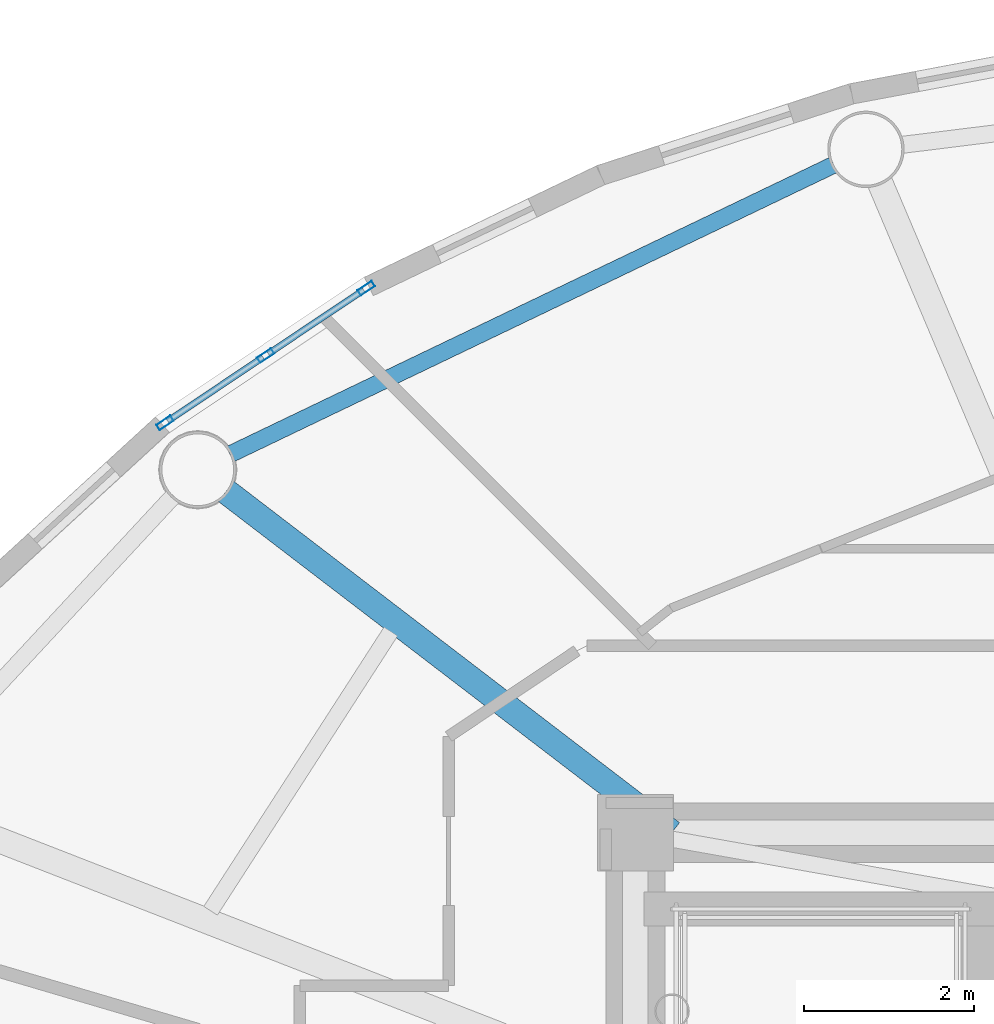
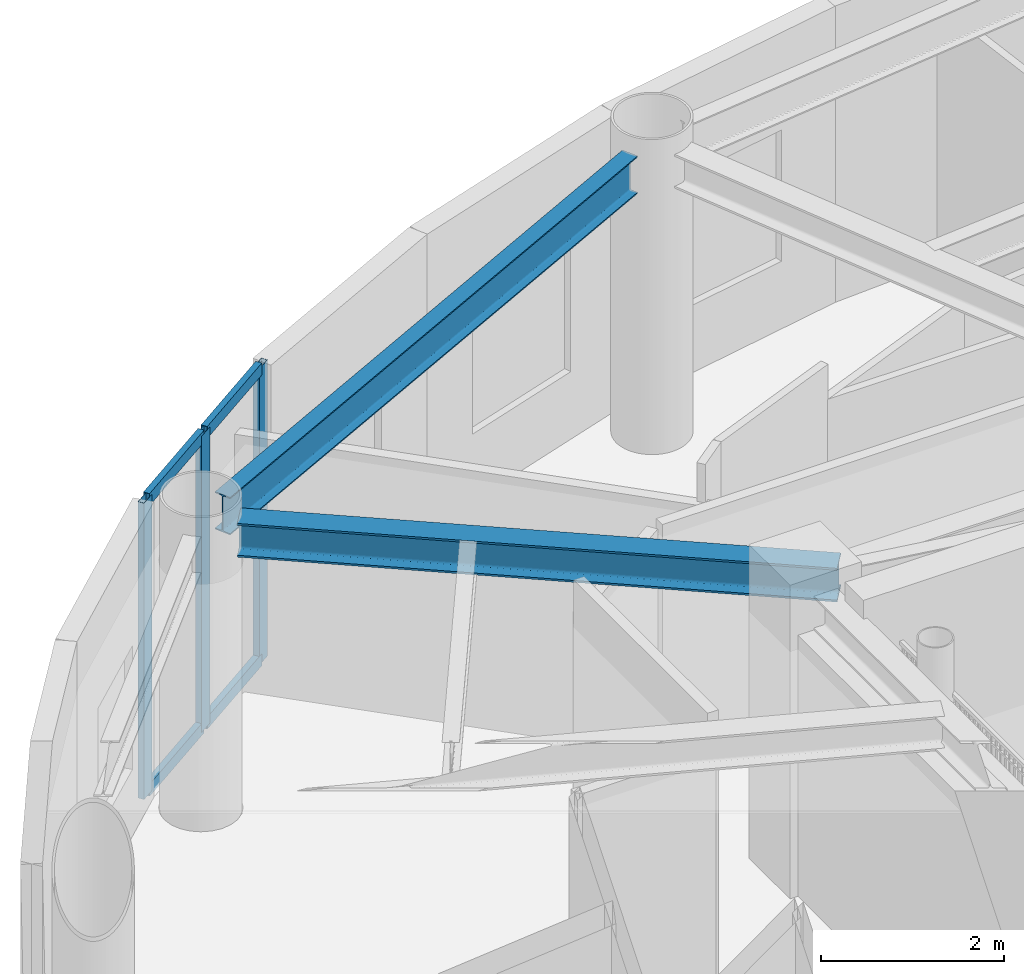
# One storey, part 8 of 24: 7 members, 2 beams, 1 element without a shape of its own.
"""IFC4 building model written with IfcOpenShell, lengths in metres."""

from ifc_helpers import new_model, si_unit, direction, frame, origin, origin_2d, place, context, subcontext, project, spatial, hollow_rectangle, i_section, extrude, source, transform, mapped, material, layer, layer_set, material_profile, profile_set, type_object, element, aggregate, save


model = new_model("IFC4")

# Units and contexts
model_context = context("Model", 3, precision=1e-05, world=origin(), true_north=direction((0.0, 1.0)))
body_context = subcontext(model_context, "Body", "Model", "MODEL_VIEW")
ifc_project = project(units=[si_unit("LENGTHUNIT", "METRE"), si_unit("AREAUNIT", "SQUARE_METRE"), si_unit("VOLUMEUNIT", "CUBIC_METRE"), si_unit("PLANEANGLEUNIT", "RADIAN"), si_unit("MASSUNIT", "GRAM", prefix="KILO")], contexts=[model_context])

# Site, building, storey
site_placement = place(None, origin())
site = spatial("IfcSite", under=ifc_project, at=site_placement, CompositionType="ELEMENT")
building_placement = place(site_placement, origin())
building = spatial("IfcBuilding", under=site, at=building_placement, Name="Linh Dai School and Residence Tower", CompositionType="ELEMENT")
storey_placement = place(building_placement, frame((0.0, 0.0, 355.199951171875)))
storey = spatial("IfcBuildingStorey", under=building, at=storey_placement, Name="L88", CompositionType="ELEMENT", Elevation=355.199951171875)

# Beams
ifc_material_1 = material(Name="Structural Steel S355JR", Category="steel")
ifc_material_profile_1 = material_profile(ifc_material_1, i_section(OverallWidth=0.199951171875, OverallDepth=0.5, WebThickness=0.01025390625, FlangeThickness=0.01611328125, FilletRadius=0.02099609375, at=origin_2d()), Name="IPE 500")
ifc_profile_set_1 = profile_set([ifc_material_profile_1], Name="Structural Steel S355JR")
beam_type_1 = type_object("IfcBeamType", Name="BM-RB50", PredefinedType="BEAM", material=ifc_profile_set_1)
beam_1_placement = place(storey_placement, frame((29.483642578125, 41.312255859375, 3.699951171875), z_axis=(-0.901701330417, -0.432359469335, 0.0), x_axis=(0.432359469335, -0.901701330417, 0.0)))
element("IfcBeam", 1, at=beam_1_placement, inside=storey, type_object=beam_type_1, Name="L88 Perimeter Elliptical Ring Beam 06", PredefinedType="BEAM", context=body_context, shape_type="SweptSolid", body=[
    extrude(i_section(OverallWidth=0.199951171875, OverallDepth=0.5, WebThickness=0.01025390625, FlangeThickness=0.01611328125, FilletRadius=0.02099609375, at=origin_2d()), origin(), (0.0, 0.0, 1.0), 7.88232421875),
])
ifc_material_profile_2 = material_profile(ifc_material_1, i_section(OverallWidth=0.300048828125, OverallDepth=0.449951171875, WebThickness=0.013916015625, FlangeThickness=0.02587890625, FilletRadius=0.027099609375, at=origin_2d()), Name="HEB 450")
ifc_profile_set_2 = profile_set([ifc_material_profile_2], Name="Structural Steel S355JR")
beam_type_2 = type_object("IfcBeamType", Name="BM-RG45", PredefinedType="BEAM", material=ifc_profile_set_2)
beam_2_placement = place(storey_placement, frame((27.5771484375, 33.449951171875, 3.72509765625), z_axis=(-0.793929753809, 0.608009495006, 0.0), x_axis=(-0.608009495006, -0.793929753809, 0.0)))
element("IfcBeam", 2, at=beam_2_placement, inside=storey, type_object=beam_type_2, Name="L88 Primary Radial Floor Girder 07", PredefinedType="BEAM", context=body_context, shape_type="SweptSolid", body=[
    extrude(i_section(OverallWidth=0.300048828125, OverallDepth=0.449951171875, WebThickness=0.013916015625, FlangeThickness=0.02587890625, FilletRadius=0.027099609375, at=origin_2d()), origin(), (0.0, 0.0, 1.0), 6.607666015625),
])

# Curtain wall, members
ifc_material_2 = material(Name="Aluminium Anodised Curtain Wall", Category="aluminium")
ifc_layer = layer(ifc_material_2, 0.199951171875)
ifc_layer_set = layer_set([ifc_layer], Name="Aluminium Anodised Curtain Wall")
curtain_wall_type = type_object("IfcCurtainWallType", Name="CW-SYS-6", PredefinedType="USERDEFINED", material=ifc_layer_set)
curtain_wall_placement = place(storey_placement, origin())
curtain_wall = element("IfcCurtainWall", 3, at=curtain_wall_placement, inside=storey, type_object=curtain_wall_type, Name="L88 CW6 Curtain Wall 15", ObjectType="UNITISED CURTAIN WALL", PredefinedType="USERDEFINED")
ifc_material_3 = material(Name="Aluminium Alloy 6063-T6", Category="aluminium")
ifc_material_profile_3 = material_profile(ifc_material_3, hollow_rectangle(XDim=0.074951171875, YDim=0.159912109375, WallThickness=0.00390625, at=origin_2d()), Name="RHS 160x75x4")
ifc_profile_set_3 = profile_set([ifc_material_profile_3], Name="Aluminium Alloy 6063-T6")
member_type_1 = type_object("IfcMemberType", Name="CW-SYS-6-TRN", PredefinedType="USERDEFINED", material=ifc_profile_set_3)
shared_shape_1 = source(origin(), body_context, "Body", "SweptSolid", [
    extrude(hollow_rectangle(XDim=0.074951171875, YDim=0.159912109375, WallThickness=0.00390625, at=origin_2d()), origin(), (0.0, 0.0, 1.0), 1.349609375),
])
member_1_placement = place(storey_placement, frame((21.643798828125, 38.2958984375, 0.03759765625), z_axis=(0.831158719791, 0.556035234959, 0.0), x_axis=(-0.556035234959, 0.831158719791, 0.0)))
member_1 = element("IfcMember", 4, at=member_1_placement, type_object=member_type_1, Name="CW6 transom 1.1", ObjectType="TRANSOM", PredefinedType="USERDEFINED", context=body_context, shape_type="MappedRepresentation", body=[
    mapped(shared_shape_1, transform((0.0, 0.0, 0.0), x_axis=(1.0, 0.0, 0.0), y_axis=(0.0, 1.0, 0.0), z_axis=(0.0, 0.0, 1.0), scale=1.0)),
])
member_2_placement = place(storey_placement, frame((21.643798828125, 38.2958984375, 3.91259765625), z_axis=(0.831158719791, 0.556035234959, 0.0), x_axis=(-0.556035234959, 0.831158719791, 0.0)))
member_2 = element("IfcMember", 5, at=member_2_placement, type_object=member_type_1, Name="CW6 transom 1.2", ObjectType="TRANSOM", PredefinedType="USERDEFINED", context=body_context, shape_type="MappedRepresentation", body=[
    mapped(shared_shape_1, transform((0.0, 0.0, 0.0), x_axis=(1.0, 0.0, 0.0), y_axis=(0.0, 1.0, 0.0), z_axis=(0.0, 0.0, 1.0), scale=1.0)),
])
shared_shape_2 = source(origin(), body_context, "Body", "SweptSolid", [
    extrude(hollow_rectangle(XDim=0.074951171875, YDim=0.159912109375, WallThickness=0.00390625, at=origin_2d()), origin(), (0.0, 0.0, 1.0), 1.349853515625),
])
member_3_placement = place(storey_placement, frame((22.827880859375, 39.087890625, 0.03759765625), z_axis=(0.831214631805, 0.555951648862, 0.0), x_axis=(-0.555951648862, 0.831214631805, 0.0)))
member_3 = element("IfcMember", 6, at=member_3_placement, type_object=member_type_1, Name="CW6 transom 2.1", ObjectType="TRANSOM", PredefinedType="USERDEFINED", context=body_context, shape_type="MappedRepresentation", body=[
    mapped(shared_shape_2, transform((0.0, 0.0, 0.0), x_axis=(1.0, 0.0, 0.0), y_axis=(0.0, 1.0, 0.0), z_axis=(0.0, 0.0, 1.0), scale=1.0)),
])
member_4_placement = place(storey_placement, frame((22.827880859375, 39.087890625, 3.91259765625), z_axis=(0.831214631805, 0.555951648862, 0.0), x_axis=(-0.555951648862, 0.831214631805, 0.0)))
member_4 = element("IfcMember", 7, at=member_4_placement, type_object=member_type_1, Name="CW6 transom 2.2", ObjectType="TRANSOM", PredefinedType="USERDEFINED", context=body_context, shape_type="MappedRepresentation", body=[
    mapped(shared_shape_2, transform((0.0, 0.0, 0.0), x_axis=(1.0, 0.0, 0.0), y_axis=(0.0, 1.0, 0.0), z_axis=(0.0, 0.0, 1.0), scale=1.0)),
])
ifc_material_profile_4 = material_profile(ifc_material_3, hollow_rectangle(XDim=0.074951171875, YDim=0.199951171875, WallThickness=0.00390625, at=origin_2d()), Name="RHS 200x75x4")
ifc_profile_set_4 = profile_set([ifc_material_profile_4], Name="Aluminium Alloy 6063-T6")
member_type_2 = type_object("IfcMemberType", Name="CW-SYS-6-MUL", PredefinedType="MULLION", material=ifc_profile_set_4)
shared_shape_3 = source(origin(), body_context, "Body", "SweptSolid", [
    extrude(hollow_rectangle(XDim=0.074951171875, YDim=0.199951171875, WallThickness=0.00390625, at=origin_2d()), origin(), (0.0, 0.0, 1.0), 3.949951171875),
])
member_5_placement = place(storey_placement, frame((21.612548828125, 38.275146484375, 0.0), z_axis=(0.0, 0.0, 1.0), x_axis=(-0.555970777144, 0.831201837679, 0.0)))
member_5 = element("IfcMember", 8, at=member_5_placement, type_object=member_type_2, Name="CW6 mullion 1", PredefinedType="MULLION", context=body_context, shape_type="MappedRepresentation", body=[
    mapped(shared_shape_3, transform((0.0, 0.0, 0.0), x_axis=(1.0, 0.0, 0.0), y_axis=(0.0, 1.0, 0.0), z_axis=(0.0, 0.0, 1.0), scale=1.0)),
])
member_6_placement = place(storey_placement, frame((22.796875, 39.067138671875, 0.0), z_axis=(0.0, 0.0, 1.0), x_axis=(-0.555970777144, 0.831201837679, 0.0)))
member_6 = element("IfcMember", 9, at=member_6_placement, type_object=member_type_2, Name="CW6 mullion 2", PredefinedType="MULLION", context=body_context, shape_type="MappedRepresentation", body=[
    mapped(shared_shape_3, transform((0.0, 0.0, 0.0), x_axis=(1.0, 0.0, 0.0), y_axis=(0.0, 1.0, 0.0), z_axis=(0.0, 0.0, 1.0), scale=1.0)),
])
member_7_placement = place(storey_placement, frame((23.98095703125, 39.859375, 0.0), z_axis=(0.0, 0.0, 1.0), x_axis=(-0.555970777144, 0.831201837679, 0.0)))
member_7 = element("IfcMember", 10, at=member_7_placement, type_object=member_type_2, Name="CW6 mullion 3", PredefinedType="MULLION", context=body_context, shape_type="MappedRepresentation", body=[
    mapped(shared_shape_3, transform((0.0, 0.0, 0.0), x_axis=(1.0, 0.0, 0.0), y_axis=(0.0, 1.0, 0.0), z_axis=(0.0, 0.0, 1.0), scale=1.0)),
])
aggregate(curtain_wall, [member_5, member_6, member_7, member_1, member_2, member_3, member_4])

save(model, "model.ifc")
